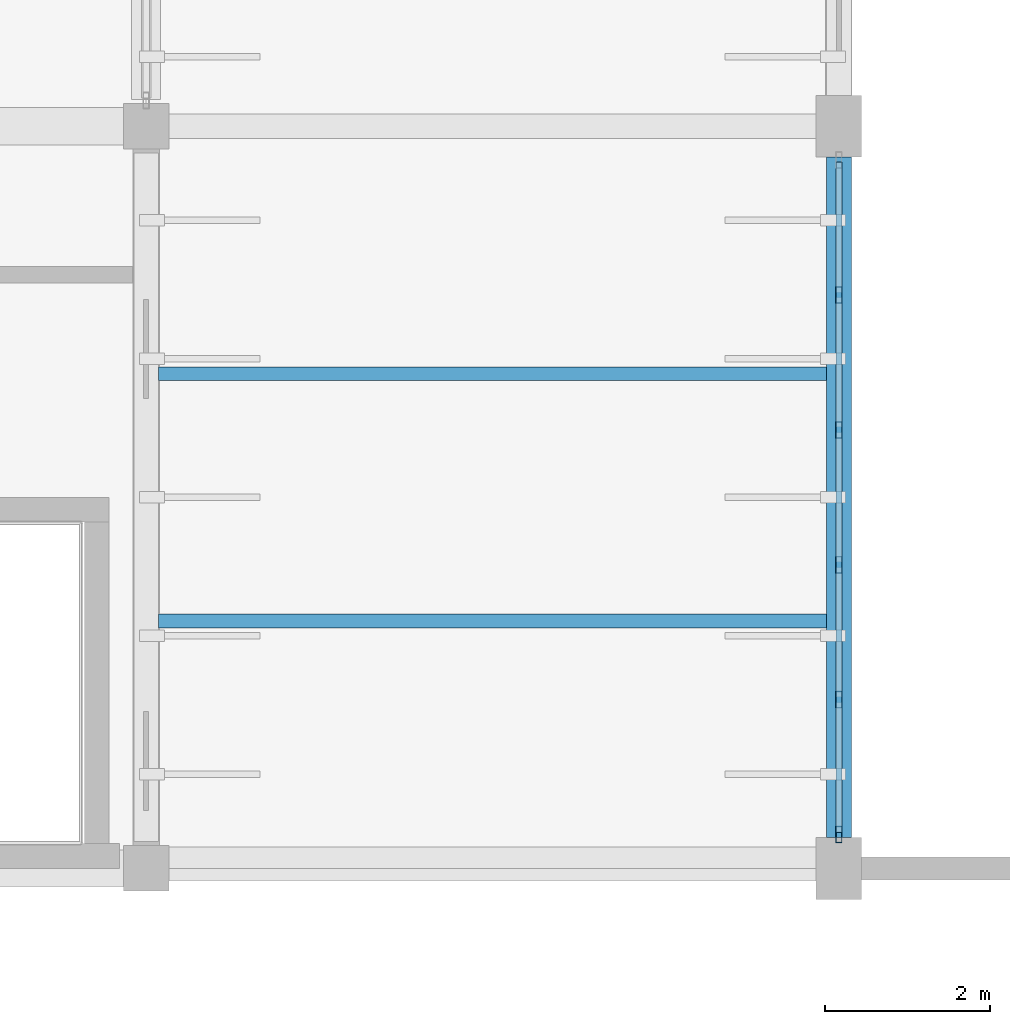
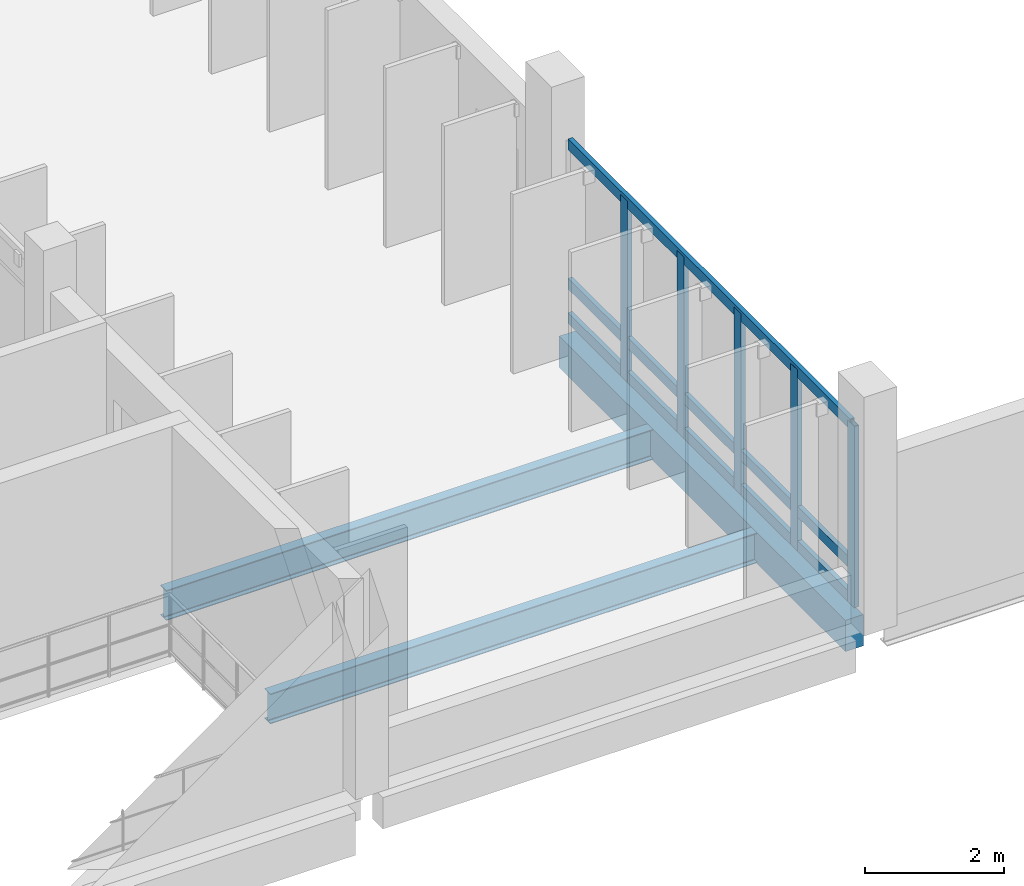
# One storey, part 85 of 130: 8 members, 3 beams, 1 element without a shape of its own.
"""IFC4 building model written with IfcOpenShell, lengths in metres."""

from ifc_helpers import new_model, si_unit, direction, frame, origin, origin_2d, place, context, subcontext, project, spatial, rectangle, hollow_rectangle, i_section, extrude, material, layer, layer_set, material_profile, profile_set, type_object, element, aggregate, save


model = new_model("IFC4")

# Units and contexts
model_context = context("Model", 3, precision=1e-05, world=origin(), true_north=direction((0.0, 1.0)))
body_context = subcontext(model_context, "Body", "Model", "MODEL_VIEW")
ifc_project = project(units=[si_unit("LENGTHUNIT", "METRE"), si_unit("AREAUNIT", "SQUARE_METRE"), si_unit("VOLUMEUNIT", "CUBIC_METRE"), si_unit("PLANEANGLEUNIT", "RADIAN"), si_unit("MASSUNIT", "GRAM", prefix="KILO")], contexts=[model_context])

# Site, building, storey
site_placement = place(None, origin())
site = spatial("IfcSite", under=ifc_project, at=site_placement, CompositionType="ELEMENT")
building_placement = place(site_placement, origin())
building = spatial("IfcBuilding", under=site, at=building_placement, Name="Vireocrest Preparatory School", CompositionType="ELEMENT")
storey_placement = place(building_placement, frame((0.0, 0.0, 9.0)))
storey = spatial("IfcBuildingStorey", under=building, at=storey_placement, Name="L02", CompositionType="ELEMENT", Elevation=9.0)

# Curtain wall, members
ifc_material_1 = material(Name="Thermally broken aluminium EN AW-6063-T6", Category="aluminium")
ifc_layer = layer(ifc_material_1, 0.179931640625)
ifc_layer_set = layer_set([ifc_layer], Name="Thermally broken aluminium EN AW-6063-T6")
curtain_wall_type = type_object("IfcCurtainWallType", Name="Side Facade Curtain Wall 9000x4200", PredefinedType="USERDEFINED", material=ifc_layer_set)
curtain_wall_placement = place(storey_placement, origin())
curtain_wall = element("IfcCurtainWall", 1, at=curtain_wall_placement, inside=storey, type_object=curtain_wall_type, Name="Curtain Wall CW07 CW_L02_CW07_1428_0184_090", ObjectType="CURTAIN WALL", PredefinedType="USERDEFINED")
ifc_material_profile_1 = material_profile(ifc_material_1, hollow_rectangle(XDim=0.074951171875, YDim=0.199951171875, WallThickness=0.0048828125, at=origin_2d()), Name="ALU 75x200x5")
ifc_profile_set_1 = profile_set([ifc_material_profile_1], Name="Thermally broken aluminium EN AW-6063-T6")
member_type_1 = type_object("IfcMemberType", Name="CW Mullion 75x200x5", PredefinedType="MULLION", material=ifc_profile_set_1)
member_1_placement = place(storey_placement, frame((142.800048828125, 18.409912109375, 0.0), z_axis=(0.0, 0.0, 1.0), x_axis=(1.0, 0.0, 0.0)))
member_1 = element("IfcMember", 2, at=member_1_placement, type_object=member_type_1, Name="CW Mullion ML3 CW_L02_CW07_1428_0184_090-1", PredefinedType="MULLION", context=body_context, shape_type="SweptSolid", body=[
    extrude(hollow_rectangle(XDim=0.074951171875, YDim=0.199951171875, WallThickness=0.0048828125, at=origin_2d()), origin(), (0.0, 0.0, 1.0), 3.19189453125),
])
member_2_placement = place(storey_placement, frame((142.800048828125, 20.0458984375, 0.0), z_axis=(0.0, 0.0, 1.0), x_axis=(1.0, 0.0, 0.0)))
member_2 = element("IfcMember", 3, at=member_2_placement, type_object=member_type_1, Name="CW Mullion ML3 CW_L02_CW07_1428_0184_090-2", PredefinedType="MULLION", context=body_context, shape_type="SweptSolid", body=[
    extrude(hollow_rectangle(XDim=0.074951171875, YDim=0.199951171875, WallThickness=0.0048828125, at=origin_2d()), origin(), (0.0, 0.0, 1.0), 3.19189453125),
])
member_3_placement = place(storey_placement, frame((142.800048828125, 21.681884765625, 0.0), z_axis=(0.0, 0.0, 1.0), x_axis=(1.0, 0.0, 0.0)))
member_3 = element("IfcMember", 4, at=member_3_placement, type_object=member_type_1, Name="CW Mullion ML3 CW_L02_CW07_1428_0184_090-3", PredefinedType="MULLION", context=body_context, shape_type="SweptSolid", body=[
    extrude(hollow_rectangle(XDim=0.074951171875, YDim=0.199951171875, WallThickness=0.0048828125, at=origin_2d()), origin(), (0.0, 0.0, 1.0), 3.19189453125),
])
member_4_placement = place(storey_placement, frame((142.800048828125, 23.318115234375, 0.0), z_axis=(0.0, 0.0, 1.0), x_axis=(1.0, 0.0, 0.0)))
member_4 = element("IfcMember", 5, at=member_4_placement, type_object=member_type_1, Name="CW Mullion ML3 CW_L02_CW07_1428_0184_090-4", PredefinedType="MULLION", context=body_context, shape_type="SweptSolid", body=[
    extrude(hollow_rectangle(XDim=0.074951171875, YDim=0.199951171875, WallThickness=0.0048828125, at=origin_2d()), origin(), (0.0, 0.0, 1.0), 3.19189453125),
])
member_5_placement = place(storey_placement, frame((142.800048828125, 24.9541015625, 0.0), z_axis=(0.0, 0.0, 1.0), x_axis=(1.0, 0.0, 0.0)))
member_5 = element("IfcMember", 6, at=member_5_placement, type_object=member_type_1, Name="CW Mullion ML3 CW_L02_CW07_1428_0184_090-5", PredefinedType="MULLION", context=body_context, shape_type="SweptSolid", body=[
    extrude(hollow_rectangle(XDim=0.074951171875, YDim=0.199951171875, WallThickness=0.0048828125, at=origin_2d()), origin(), (0.0, 0.0, 1.0), 3.19189453125),
])
ifc_material_profile_2 = material_profile(ifc_material_1, hollow_rectangle(XDim=0.074951171875, YDim=0.18994140625, WallThickness=0.00390625, at=origin_2d()), Name="ALU 75x190x4")
ifc_profile_set_2 = profile_set([ifc_material_profile_2], Name="Thermally broken aluminium EN AW-6063-T6")
member_type_2 = type_object("IfcMemberType", Name="CW Transom 75x190x4", PredefinedType="USERDEFINED", material=ifc_profile_set_2)
member_6_placement = place(storey_placement, frame((142.800048828125, 18.43505859375, 0.094970703125), z_axis=(0.0, 1.0, 0.0), x_axis=(-1.0, 0.0, 0.0)))
member_6 = element("IfcMember", 7, at=member_6_placement, type_object=member_type_2, Name="CW Transom TR3 CW_L02_CW07_1428_0184_090-1", ObjectType="TRANSOM", PredefinedType="USERDEFINED", context=body_context, shape_type="SweptSolid", body=[
    extrude(hollow_rectangle(XDim=0.074951171875, YDim=0.18994140625, WallThickness=0.00390625, at=origin_2d()), origin(), (0.0, 0.0, 1.0), 8.1298828125),
])
member_7_placement = place(storey_placement, frame((142.800048828125, 18.43505859375, 0.699951171875), z_axis=(0.0, 1.0, 0.0), x_axis=(-1.0, 0.0, 0.0)))
member_7 = element("IfcMember", 8, at=member_7_placement, type_object=member_type_2, Name="CW Transom TR3 CW_L02_CW07_1428_0184_090-2", ObjectType="TRANSOM", PredefinedType="USERDEFINED", context=body_context, shape_type="SweptSolid", body=[
    extrude(hollow_rectangle(XDim=0.074951171875, YDim=0.18994140625, WallThickness=0.00390625, at=origin_2d()), origin(), (0.0, 0.0, 1.0), 8.1298828125),
])
member_8_placement = place(storey_placement, frame((142.800048828125, 18.43505859375, 3.152099609375), z_axis=(0.0, 1.0, 0.0), x_axis=(-1.0, 0.0, 0.0)))
member_8 = element("IfcMember", 9, at=member_8_placement, type_object=member_type_2, Name="CW Transom TR3 CW_L02_CW07_1428_0184_090-3", ObjectType="TRANSOM", PredefinedType="USERDEFINED", context=body_context, shape_type="SweptSolid", body=[
    extrude(hollow_rectangle(XDim=0.074951171875, YDim=0.18994140625, WallThickness=0.00390625, at=origin_2d()), origin(), (0.0, 0.0, 1.0), 8.1298828125),
])
aggregate(curtain_wall, [member_1, member_2, member_3, member_4, member_5, member_6, member_7, member_8])

# Beams
ifc_material_2 = material(Name="Structural steel ASTM A992 Grade 50", Category="steel")
ifc_material_profile_3 = material_profile(ifc_material_2, i_section(OverallWidth=0.166015625, OverallDepth=0.529052734375, WebThickness=0.009765625, FlangeThickness=0.013671875, FilletRadius=0.014892578125, at=origin_2d()), Name="W21X50")
ifc_profile_set_3 = profile_set([ifc_material_profile_3], Name="Structural steel ASTM A992 Grade 50")
beam_type_1 = type_object("IfcBeamType", Name="Pavilion Roof Joist W21X50", PredefinedType="JOIST", material=ifc_profile_set_3)
for number, where, z_axis, x_axis, name in (
    (10, (134.550048828125, 21.0, -0.484619140625), (1.0, 0.0, 0.0), (0.0, 1.0, 0.0), "Secondary Joist SJ1 L02-1026"),
    (11, (134.550048828125, 24.0, -0.484619140625), (1.0, 0.0, 0.0), (0.0, 1.0, 0.0), "Secondary Joist SJ1 L02-1027"),
):
    element("IfcBeam", number, at=place(storey_placement, frame(where, z_axis=z_axis, x_axis=x_axis)), inside=storey, type_object=beam_type_1, Name=name, PredefinedType="JOIST", context=body_context, shape_type="SweptSolid", body=[
        extrude(i_section(OverallWidth=0.166015625, OverallDepth=0.529052734375, WebThickness=0.009765625, FlangeThickness=0.013671875, FilletRadius=0.014892578125, at=origin_2d()), origin(), (0.0, 0.0, 1.0), 8.099853515625),
    ])
ifc_material_3 = material(Name="Concrete 40 MPa", Category="concrete")
ifc_material_profile_4 = material_profile(ifc_material_3, rectangle(XDim=0.300048828125, YDim=0.550048828125, at=origin_2d()), Name="RC 300x550")
ifc_profile_set_4 = profile_set([ifc_material_profile_4], Name="Concrete 40 MPa")
beam_type_2 = type_object("IfcBeamType", Name="RC Roof Girder 300x550", PredefinedType="BEAM", material=ifc_profile_set_4)
beam_placement = place(storey_placement, frame((142.800048828125, 18.375, -0.4951171875), z_axis=(0.0, 1.0, 0.0), x_axis=(-1.0, 0.0, 0.0)))
element("IfcBeam", 12, at=beam_placement, inside=storey, type_object=beam_type_2, Name="Primary Girder B02 L02-0881", PredefinedType="BEAM", context=body_context, shape_type="SweptSolid", body=[
    extrude(rectangle(XDim=0.300048828125, YDim=0.550048828125, at=origin_2d()), origin(), (0.0, 0.0, 1.0), 8.25),
])

save(model, "model.ifc")
